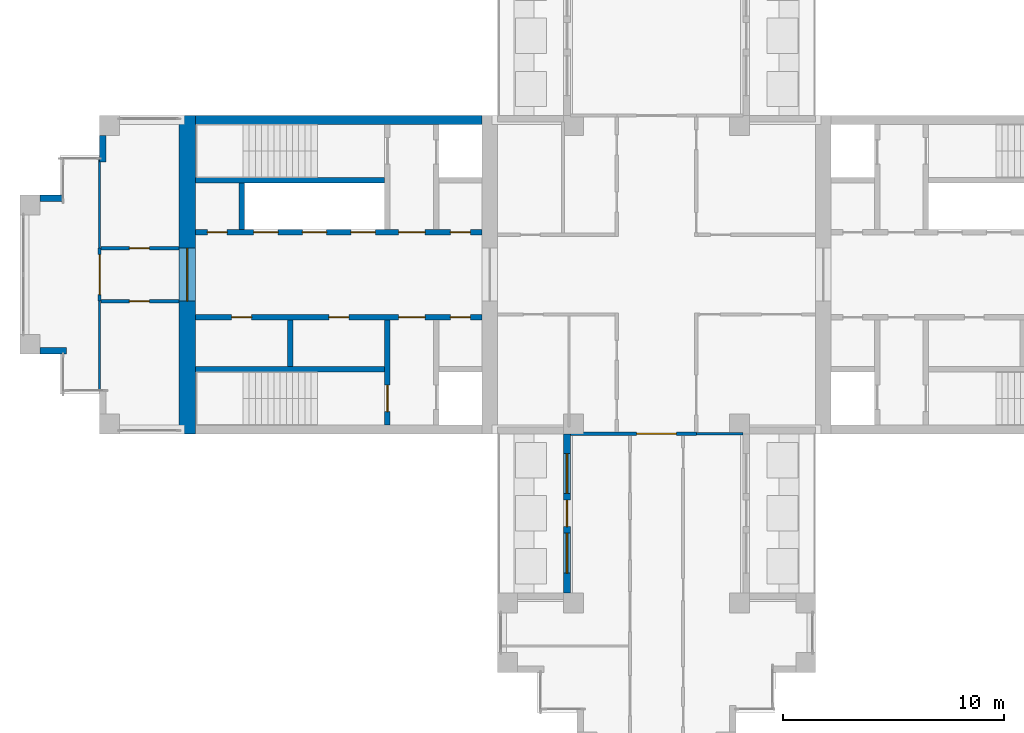
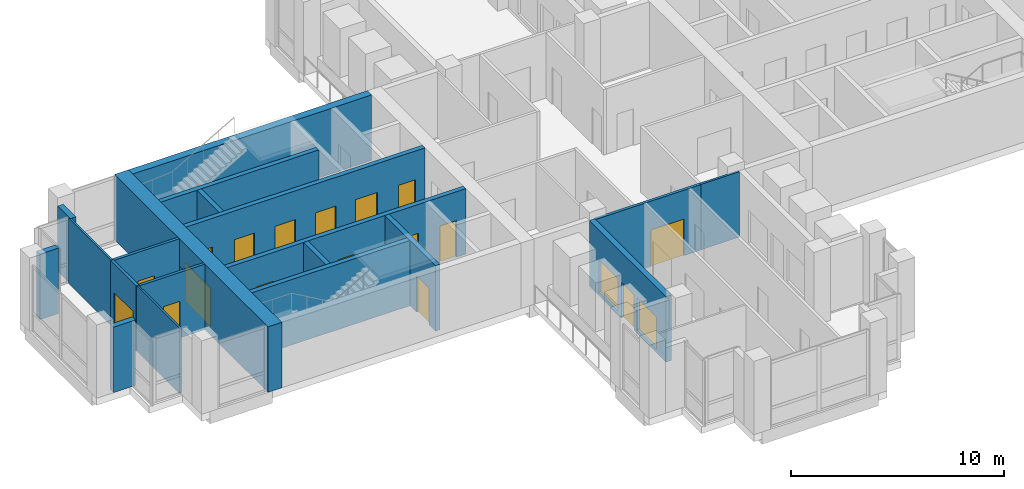
# One storey, part 8 of 13: 20 walls, 17 doors, 2 windows, 19 openings.
"""IFC4 building model written with IfcOpenShell, lengths in metres."""

from ifc_helpers import new_model, si_unit, direction, frame, frame_2d, origin, place, context, subcontext, project, spatial, rectangle, extrude, material, layer, layer_set, type_object, element, fill, save


model = new_model("IFC4")

# Units and contexts
model_context = context("Model", 3, precision=1e-05, world=origin(), true_north=direction((0.0, 1.0)))
body_context = subcontext(model_context, "Body", "Model", "MODEL_VIEW")
ifc_project = project(units=[si_unit("LENGTHUNIT", "METRE"), si_unit("AREAUNIT", "SQUARE_METRE"), si_unit("VOLUMEUNIT", "CUBIC_METRE"), si_unit("PLANEANGLEUNIT", "RADIAN"), si_unit("MASSUNIT", "GRAM", prefix="KILO")], contexts=[model_context])

# Site, building, storey
site_placement = place(None, origin())
site = spatial("IfcSite", under=ifc_project, at=site_placement, CompositionType="ELEMENT")
building_placement = place(site_placement, origin())
building = spatial("IfcBuilding", under=site, at=building_placement, Name="Fustian Cross Tower", CompositionType="ELEMENT")
storey_placement = place(building_placement, frame((0.0, 0.0, 237.89990234375)))
storey = spatial("IfcBuildingStorey", under=building, at=storey_placement, Name="L75", CompositionType="ELEMENT", Elevation=237.89990234375)

# Wall, opening, door
ifc_material_1 = material(Name="Plasterboard on steel stud", Category="steel")
ifc_layer_1 = layer(ifc_material_1, 0.14990234375)
ifc_layer_set_1 = layer_set([ifc_layer_1], Name="Plasterboard on steel stud")
wall_type_1 = type_object("IfcWallType", Name="COMPARTMENT WALL 150 EI 60", PredefinedType="PARTITIONING", material=ifc_layer_set_1)
wall_1_placement = place(storey_placement, frame((-25.199951171875, -1.199951171875, 0.0), z_axis=(0.0, 0.0, 1.0), x_axis=(0.0, 1.0, 0.0)))
wall_1 = element("IfcWall", 1, at=wall_1_placement, inside=storey, type_object=wall_type_1, Name="Partition 2", PredefinedType="PARTITIONING", context=body_context, shape_type="SweptSolid", body=[
    extrude(rectangle(XDim=2.39990234375, YDim=0.14990234375, at=frame_2d((1.199951171875, 0.0))), origin(), (0.0, 0.0, 1.0), 3.75),
])
opening_1_placement = place(wall_1_placement, frame((0.300048828125, 0.0, 0.0)))
opening_1 = element("IfcOpeningElement", 2, at=opening_1_placement, cuts=wall_1, Name="Opening D34026", PredefinedType="OPENING", context=body_context, shape_type="SweptSolid", body=[
    extrude(rectangle(XDim=1.800048828125, YDim=2.10009765625, at=frame_2d((0.89990234375, 1.050048828125))), frame((0.0, 0.0849609375, 0.0), z_axis=(0.0, -1.0, 0.0), x_axis=(1.0, 0.0, 0.0)), (0.0, 0.0, 1.0), 0.169921875),
])
ifc_material_2 = material(Name="Timber fire door set", Category="wood")
door_type_1 = type_object("IfcDoorType", Name="FIRE DOUBLE DOOR 1800 FD30S", OperationType="DOUBLE_DOOR_DOUBLE_SWING", PredefinedType="DOOR", material=ifc_material_2)
door_1_placement = place(opening_1_placement, frame((1.800048828125, 0.0, 0.0), z_axis=(0.0, 0.0, 1.0), x_axis=(-1.0, 0.0, 0.0)))
door_1 = element("IfcDoor", 3, at=door_1_placement, inside=storey, type_object=door_type_1, Name="Door D34026", OperationType="DOUBLE_DOOR_DOUBLE_SWING", OverallHeight=2.10009765625, OverallWidth=1.800048828125, PredefinedType="DOOR", context=body_context, shape_type="SweptSolid", body=[
    extrude(rectangle(XDim=1.800048828125, YDim=2.10009765625, at=frame_2d((0.89990234375, 1.050048828125))), frame((0.0, 0.02490234375, 0.0), z_axis=(0.0, -1.0, 0.0), x_axis=(1.0, 0.0, 0.0)), (0.0, 0.0, 1.0), 0.050048828125),
])
fill(opening_1, door_1)

wall_2_placement = place(storey_placement, frame((-25.125, -1.199951171875, 0.0), z_axis=(0.0, 0.0, 1.0), x_axis=(1.0, 0.0, 0.0)))
wall_2 = element("IfcWall", 4, at=wall_2_placement, inside=storey, type_object=wall_type_1, Name="Partition 3", PredefinedType="PARTITIONING", context=body_context, shape_type="SweptSolid", body=[
    extrude(rectangle(XDim=3.52490234375, YDim=0.14990234375, at=frame_2d((1.762451171875, 0.0))), origin(), (0.0, 0.0, 1.0), 3.75),
])
opening_2_placement = place(wall_2_placement, frame((1.27490234375, 0.0, 0.0)))
opening_2 = element("IfcOpeningElement", 5, at=opening_2_placement, cuts=wall_2, Name="Opening D34027", PredefinedType="OPENING", context=body_context, shape_type="SweptSolid", body=[
    extrude(rectangle(XDim=0.89990234375, YDim=2.10009765625, at=frame_2d((0.449951171875, 1.050048828125))), frame((0.0, 0.0849609375, 0.0), z_axis=(0.0, -1.0, 0.0), x_axis=(1.0, 0.0, 0.0)), (0.0, 0.0, 1.0), 0.169921875),
])
ifc_material_3 = material(Name="Timber fire door set", Category="wood")
door_type_2 = type_object("IfcDoorType", Name="FIRE SWING DOOR 900 FD30S", OperationType="SINGLE_SWING_LEFT", PredefinedType="DOOR", material=ifc_material_3)
door_2_placement = place(opening_2_placement, origin())
door_2 = element("IfcDoor", 6, at=door_2_placement, inside=storey, type_object=door_type_2, Name="Door D34027", OperationType="SINGLE_SWING_LEFT", OverallHeight=2.10009765625, OverallWidth=0.89990234375, PredefinedType="DOOR", context=body_context, shape_type="SweptSolid", body=[
    extrude(rectangle(XDim=0.89990234375, YDim=2.10009765625, at=frame_2d((0.449951171875, 1.050048828125))), frame((0.0, 0.02490234375, 0.0), z_axis=(0.0, -1.0, 0.0), x_axis=(1.0, 0.0, 0.0)), (0.0, 0.0, 1.0), 0.050048828125),
])
fill(opening_2, door_2)

wall_3_placement = place(storey_placement, frame((-25.125, 1.199951171875, 0.0), z_axis=(0.0, 0.0, 1.0), x_axis=(1.0, 0.0, 0.0)))
wall_3 = element("IfcWall", 7, at=wall_3_placement, inside=storey, type_object=wall_type_1, Name="Partition 5", PredefinedType="PARTITIONING", context=body_context, shape_type="SweptSolid", body=[
    extrude(rectangle(XDim=3.52490234375, YDim=0.14990234375, at=frame_2d((1.762451171875, 0.0))), origin(), (0.0, 0.0, 1.0), 3.75),
])
opening_3_placement = place(wall_3_placement, frame((1.27490234375, 0.0, 0.0)))
opening_3 = element("IfcOpeningElement", 8, at=opening_3_placement, cuts=wall_3, Name="Opening D34028", PredefinedType="OPENING", context=body_context, shape_type="SweptSolid", body=[
    extrude(rectangle(XDim=0.89990234375, YDim=2.10009765625, at=frame_2d((0.449951171875, 1.050048828125))), frame((0.0, 0.0849609375, 0.0), z_axis=(0.0, -1.0, 0.0), x_axis=(1.0, 0.0, 0.0)), (0.0, 0.0, 1.0), 0.169921875),
])
door_3_placement = place(opening_3_placement, origin())
door_3 = element("IfcDoor", 9, at=door_3_placement, inside=storey, type_object=door_type_2, Name="Door D34028", OperationType="SINGLE_SWING_LEFT", OverallHeight=2.10009765625, OverallWidth=0.89990234375, PredefinedType="DOOR", context=body_context, shape_type="SweptSolid", body=[
    extrude(rectangle(XDim=0.89990234375, YDim=2.10009765625, at=frame_2d((0.449951171875, 1.050048828125))), frame((0.0, 0.02490234375, 0.0), z_axis=(0.0, -1.0, 0.0), x_axis=(1.0, 0.0, 0.0)), (0.0, 0.0, 1.0), 0.050048828125),
])
fill(opening_3, door_3)

wall_4_placement = place(storey_placement, frame((-3.89990234375, -7.199951171875, 0.0), z_axis=(0.0, 0.0, 1.0), x_axis=(1.0, 0.0, 0.0)))
wall_4 = element("IfcWall", 10, at=wall_4_placement, inside=storey, type_object=wall_type_1, Name="Partition 11", PredefinedType="PARTITIONING", context=body_context, shape_type="SweptSolid", body=[
    extrude(rectangle(XDim=5.699951171875, YDim=0.14990234375, at=frame_2d((2.85009765625, 0.0))), origin(), (0.0, 0.0, 1.0), 3.75),
])
opening_4_placement = place(wall_4_placement, frame((3.0, 0.0, 0.0)))
opening_4 = element("IfcOpeningElement", 11, at=opening_4_placement, cuts=wall_4, Name="Opening D34014", PredefinedType="OPENING", context=body_context, shape_type="SweptSolid", body=[
    extrude(rectangle(XDim=1.800048828125, YDim=2.10009765625, at=frame_2d((0.89990234375, 1.050048828125))), frame((0.0, 0.0849609375, 0.0), z_axis=(0.0, -1.0, 0.0), x_axis=(1.0, 0.0, 0.0)), (0.0, 0.0, 1.0), 0.169921875),
])
door_4_placement = place(opening_4_placement, frame((1.800048828125, 0.0, 0.0), z_axis=(0.0, 0.0, 1.0), x_axis=(-1.0, 0.0, 0.0)))
door_4 = element("IfcDoor", 12, at=door_4_placement, inside=storey, type_object=door_type_1, Name="Door D34014", OperationType="DOUBLE_DOOR_DOUBLE_SWING", OverallHeight=2.10009765625, OverallWidth=1.800048828125, PredefinedType="DOOR", context=body_context, shape_type="SweptSolid", body=[
    extrude(rectangle(XDim=1.800048828125, YDim=2.10009765625, at=frame_2d((0.89990234375, 1.050048828125))), frame((0.0, 0.02490234375, 0.0), z_axis=(0.0, -1.0, 0.0), x_axis=(1.0, 0.0, 0.0)), (0.0, 0.0, 1.0), 0.050048828125),
])
fill(opening_4, door_4)

ifc_material_4 = material(Name="Concrete C50/60", Category="concrete")
ifc_layer_2 = layer(ifc_material_4, 0.75)
ifc_layer_set_2 = layer_set([ifc_layer_2], Name="Concrete C50/60")
wall_type_2 = type_object("IfcWallType", Name="CORE END WALL 750 C50/60", PredefinedType="SHEAR", material=ifc_layer_set_2)
wall_5_placement = place(storey_placement, frame((-21.22509765625, -7.199951171875, 0.0), z_axis=(0.0, 0.0, 1.0), x_axis=(0.0, 1.0, 0.0)))
wall_5 = element("IfcWall", 13, at=wall_5_placement, inside=storey, type_object=wall_type_2, Name="Core end wall", PredefinedType="SHEAR", context=body_context, shape_type="SweptSolid", body=[
    extrude(rectangle(XDim=14.39990234375, YDim=0.75, at=frame_2d((7.199951171875, 0.0))), origin(), (0.0, 0.0, 1.0), 3.75),
])
opening_5_placement = place(wall_5_placement, frame((6.0, 0.0, 0.0)))
opening_5 = element("IfcOpeningElement", 14, at=opening_5_placement, cuts=wall_5, Name="Opening CD-30-29", PredefinedType="OPENING", context=body_context, shape_type="SweptSolid", body=[
    extrude(rectangle(XDim=2.39990234375, YDim=2.199951171875, at=frame_2d((1.199951171875, 1.10009765625))), frame((0.0, 0.385009765625, 0.0), z_axis=(0.0, -1.0, 0.0), x_axis=(1.0, 0.0, 0.0)), (0.0, 0.0, 1.0), 0.77001953125),
])
ifc_material_5 = material(Name="Steel", Category="steel")
door_type_3 = type_object("IfcDoorType", Name="FIRE DOOR FD30S DOUBLE 2400X2200", OperationType="DOUBLE_DOOR_DOUBLE_SWING", PredefinedType="DOOR", material=ifc_material_5)
door_5_placement = place(opening_5_placement, frame((2.39990234375, 0.0, 0.0), z_axis=(0.0, 0.0, 1.0), x_axis=(-1.0, 0.0, 0.0)))
door_5 = element("IfcDoor", 15, at=door_5_placement, inside=storey, type_object=door_type_3, Name="Core door CD-30-29", OperationType="DOUBLE_DOOR_DOUBLE_SWING", OverallHeight=2.199951171875, OverallWidth=2.39990234375, PredefinedType="DOOR", context=body_context, shape_type="SweptSolid", body=[
    extrude(rectangle(XDim=2.39990234375, YDim=2.199951171875, at=frame_2d((1.199951171875, 1.10009765625))), frame((0.0, 0.02490234375, 0.0), z_axis=(0.0, -1.0, 0.0), x_axis=(1.0, 0.0, 0.0)), (0.0, 0.0, 1.0), 0.050048828125),
])
fill(opening_5, door_5)

# Wall
ifc_material_6 = material(Name="Concrete C50/60", Category="concrete")
ifc_layer_3 = layer(ifc_material_6, 0.39990234375)
ifc_layer_set_3 = layer_set([ifc_layer_3], Name="Concrete C50/60")
wall_type_3 = type_object("IfcWallType", Name="CORE FACADE WALL 400 C50/60", PredefinedType="SHEAR", material=ifc_layer_set_3)
wall_6_placement = place(storey_placement, frame((-7.89990234375, 7.0, 0.0), z_axis=(0.0, 0.0, 1.0), x_axis=(-1.0, 0.0, 0.0)))
element("IfcWall", 16, at=wall_6_placement, inside=storey, type_object=wall_type_3, Name="Core facade wall", PredefinedType="SHEAR", context=body_context, shape_type="SweptSolid", body=[
    extrude(rectangle(XDim=12.9501953125, YDim=0.39990234375, at=frame_2d((6.47509765625, 0.0))), origin(), (0.0, 0.0, 1.0), 3.75),
])

# Wall, openings, doors
ifc_material_7 = material(Name="Concrete C50/60", Category="concrete")
ifc_layer_4 = layer(ifc_material_7, 0.25)
ifc_layer_set_4 = layer_set([ifc_layer_4], Name="Concrete C50/60")
wall_type_4 = type_object("IfcWallType", Name="CORE LOBBY WALL 250 C50/60", PredefinedType="SHEAR", material=ifc_layer_set_4)
wall_7_placement = place(storey_placement, frame((-7.89990234375, 1.925048828125, 0.0), z_axis=(0.0, 0.0, 1.0), x_axis=(-1.0, 0.0, 0.0)))
wall_7 = element("IfcWall", 17, at=wall_7_placement, inside=storey, type_object=wall_type_4, Name="Core lobby wall", PredefinedType="SHEAR", context=body_context, shape_type="SweptSolid", body=[
    extrude(rectangle(XDim=12.9501953125, YDim=0.25, at=frame_2d((6.47509765625, 0.0))), origin(), (0.0, 0.0, 1.0), 3.75),
])
opening_6_placement = place(wall_7_placement, frame((4.824951171875, 0.0, 0.0)))
opening_6 = element("IfcOpeningElement", 18, at=opening_6_placement, cuts=wall_7, Name="Opening LD", PredefinedType="OPENING", context=body_context, shape_type="SweptSolid", body=[
    extrude(rectangle(XDim=1.10009765625, YDim=2.10009765625, at=frame_2d((0.550048828125, 1.050048828125))), frame((0.0, 0.135009765625, 0.0), z_axis=(0.0, -1.0, 0.0), x_axis=(1.0, 0.0, 0.0)), (0.0, 0.0, 1.0), 0.27001953125),
])
opening_7_placement = place(wall_7_placement, frame((7.02490234375, 0.0, 0.0)))
opening_7 = element("IfcOpeningElement", 19, at=opening_7_placement, cuts=wall_7, Name="Opening LD", PredefinedType="OPENING", context=body_context, shape_type="SweptSolid", body=[
    extrude(rectangle(XDim=1.10009765625, YDim=2.10009765625, at=frame_2d((0.550048828125, 1.050048828125))), frame((0.0, 0.135009765625, 0.0), z_axis=(0.0, -1.0, 0.0), x_axis=(1.0, 0.0, 0.0)), (0.0, 0.0, 1.0), 0.27001953125),
])
opening_8_placement = place(wall_7_placement, frame((9.22509765625, 0.0, 0.0)))
opening_8 = element("IfcOpeningElement", 20, at=opening_8_placement, cuts=wall_7, Name="Opening LD", PredefinedType="OPENING", context=body_context, shape_type="SweptSolid", body=[
    extrude(rectangle(XDim=1.10009765625, YDim=2.10009765625, at=frame_2d((0.550048828125, 1.050048828125))), frame((0.0, 0.135009765625, 0.0), z_axis=(0.0, -1.0, 0.0), x_axis=(1.0, 0.0, 0.0)), (0.0, 0.0, 1.0), 0.27001953125),
])
opening_9_placement = place(wall_7_placement, frame((0.52490234375, 0.0, 0.0)))
opening_9 = element("IfcOpeningElement", 21, at=opening_9_placement, cuts=wall_7, Name="Opening CD-30-24", PredefinedType="OPENING", context=body_context, shape_type="SweptSolid", body=[
    extrude(rectangle(XDim=0.89990234375, YDim=2.10009765625, at=frame_2d((0.449951171875, 1.050048828125))), frame((0.0, 0.135009765625, 0.0), z_axis=(0.0, -1.0, 0.0), x_axis=(1.0, 0.0, 0.0)), (0.0, 0.0, 1.0), 0.27001953125),
])
opening_10_placement = place(wall_7_placement, frame((2.574951171875, 0.0, 0.0)))
opening_10 = element("IfcOpeningElement", 22, at=opening_10_placement, cuts=wall_7, Name="Opening CD-30-26", PredefinedType="OPENING", context=body_context, shape_type="SweptSolid", body=[
    extrude(rectangle(XDim=1.199951171875, YDim=2.10009765625, at=frame_2d((0.60009765625, 1.050048828125))), frame((0.0, 0.135009765625, 0.0), z_axis=(0.0, -1.0, 0.0), x_axis=(1.0, 0.0, 0.0)), (0.0, 0.0, 1.0), 0.27001953125),
])
opening_11_placement = place(wall_7_placement, frame((11.52490234375, 0.0, 0.0)))
opening_11 = element("IfcOpeningElement", 23, at=opening_11_placement, cuts=wall_7, Name="Opening CD-30-30", PredefinedType="OPENING", context=body_context, shape_type="SweptSolid", body=[
    extrude(rectangle(XDim=0.89990234375, YDim=2.10009765625, at=frame_2d((0.449951171875, 1.050048828125))), frame((0.0, 0.135009765625, 0.0), z_axis=(0.0, -1.0, 0.0), x_axis=(1.0, 0.0, 0.0)), (0.0, 0.0, 1.0), 0.27001953125),
])
ifc_material_8 = material(Name="Steel", Category="steel")
door_type_4 = type_object("IfcDoorType", Name="FIRE DOOR FD30S 900X2100", OperationType="SINGLE_SWING_LEFT", PredefinedType="DOOR", material=ifc_material_8)
door_6_placement = place(opening_11_placement, frame((0.89990234375, 0.0, 0.0), z_axis=(0.0, 0.0, 1.0), x_axis=(-1.0, 0.0, 0.0)))
door_6 = element("IfcDoor", 24, at=door_6_placement, inside=storey, type_object=door_type_4, Name="Core door CD-30-30", OperationType="SINGLE_SWING_RIGHT", OverallHeight=2.10009765625, OverallWidth=0.89990234375, PredefinedType="DOOR", context=body_context, shape_type="SweptSolid", body=[
    extrude(rectangle(XDim=0.89990234375, YDim=2.10009765625, at=frame_2d((0.449951171875, 1.050048828125))), frame((0.0, 0.02490234375, 0.0), z_axis=(0.0, -1.0, 0.0), x_axis=(1.0, 0.0, 0.0)), (0.0, 0.0, 1.0), 0.050048828125),
])
fill(opening_11, door_6)
ifc_material_9 = material(Name="Steel", Category="steel")
door_type_5 = type_object("IfcDoorType", Name="FIRE DOOR FD60S 1200X2100", OperationType="SINGLE_SWING_LEFT", PredefinedType="DOOR", material=ifc_material_9)
door_7_placement = place(opening_10_placement, frame((1.199951171875, 0.0, 0.0), z_axis=(0.0, 0.0, 1.0), x_axis=(-1.0, 0.0, 0.0)))
door_7 = element("IfcDoor", 25, at=door_7_placement, inside=storey, type_object=door_type_5, Name="Core door CD-30-26", OperationType="SINGLE_SWING_RIGHT", OverallHeight=2.10009765625, OverallWidth=1.199951171875, PredefinedType="DOOR", context=body_context, shape_type="SweptSolid", body=[
    extrude(rectangle(XDim=1.199951171875, YDim=2.10009765625, at=frame_2d((0.60009765625, 1.050048828125))), frame((0.0, 0.02490234375, 0.0), z_axis=(0.0, -1.0, 0.0), x_axis=(1.0, 0.0, 0.0)), (0.0, 0.0, 1.0), 0.050048828125),
])
fill(opening_10, door_7)
ifc_material_10 = material(Name="Steel", Category="steel")
door_type_6 = type_object("IfcDoorType", Name="FIRE DOOR FD60S 900X2100", OperationType="SINGLE_SWING_LEFT", PredefinedType="DOOR", material=ifc_material_10)
door_8_placement = place(opening_9_placement, frame((0.89990234375, 0.0, 0.0), z_axis=(0.0, 0.0, 1.0), x_axis=(-1.0, 0.0, 0.0)))
door_8 = element("IfcDoor", 26, at=door_8_placement, inside=storey, type_object=door_type_6, Name="Core door CD-30-24", OperationType="SINGLE_SWING_RIGHT", OverallHeight=2.10009765625, OverallWidth=0.89990234375, PredefinedType="DOOR", context=body_context, shape_type="SweptSolid", body=[
    extrude(rectangle(XDim=0.89990234375, YDim=2.10009765625, at=frame_2d((0.449951171875, 1.050048828125))), frame((0.0, 0.02490234375, 0.0), z_axis=(0.0, -1.0, 0.0), x_axis=(1.0, 0.0, 0.0)), (0.0, 0.0, 1.0), 0.050048828125),
])
fill(opening_9, door_8)
ifc_material_11 = material(Name="Stainless steel", Category="steel")
door_type_7 = type_object("IfcDoorType", Name="LIFT LANDING DOOR 1100X2100", OperationType="SLIDING_TO_LEFT", PredefinedType="DOOR", material=ifc_material_11)
door_9_placement = place(opening_6_placement, origin())
door_9 = element("IfcDoor", 27, at=door_9_placement, inside=storey, type_object=door_type_7, Name="Landing door HR1W", OperationType="SLIDING_TO_LEFT", OverallHeight=2.10009765625, OverallWidth=1.10009765625, PredefinedType="DOOR", context=body_context, shape_type="SweptSolid", body=[
    extrude(rectangle(XDim=1.10009765625, YDim=2.10009765625, at=frame_2d((0.550048828125, 1.050048828125))), frame((0.0, 0.02490234375, 0.0), z_axis=(0.0, -1.0, 0.0), x_axis=(1.0, 0.0, 0.0)), (0.0, 0.0, 1.0), 0.050048828125),
])
fill(opening_6, door_9)
door_10_placement = place(opening_7_placement, origin())
door_10 = element("IfcDoor", 28, at=door_10_placement, inside=storey, type_object=door_type_7, Name="Landing door HR2W", OperationType="SLIDING_TO_LEFT", OverallHeight=2.10009765625, OverallWidth=1.10009765625, PredefinedType="DOOR", context=body_context, shape_type="SweptSolid", body=[
    extrude(rectangle(XDim=1.10009765625, YDim=2.10009765625, at=frame_2d((0.550048828125, 1.050048828125))), frame((0.0, 0.02490234375, 0.0), z_axis=(0.0, -1.0, 0.0), x_axis=(1.0, 0.0, 0.0)), (0.0, 0.0, 1.0), 0.050048828125),
])
fill(opening_7, door_10)
door_11_placement = place(opening_8_placement, origin())
door_11 = element("IfcDoor", 29, at=door_11_placement, inside=storey, type_object=door_type_7, Name="Landing door HR3W", OperationType="SLIDING_TO_LEFT", OverallHeight=2.10009765625, OverallWidth=1.10009765625, PredefinedType="DOOR", context=body_context, shape_type="SweptSolid", body=[
    extrude(rectangle(XDim=1.10009765625, YDim=2.10009765625, at=frame_2d((0.550048828125, 1.050048828125))), frame((0.0, 0.02490234375, 0.0), z_axis=(0.0, -1.0, 0.0), x_axis=(1.0, 0.0, 0.0)), (0.0, 0.0, 1.0), 0.050048828125),
])
fill(opening_8, door_11)

wall_8_placement = place(storey_placement, frame((-7.89990234375, -1.925048828125, 0.0), z_axis=(0.0, 0.0, 1.0), x_axis=(-1.0, 0.0, 0.0)))
wall_8 = element("IfcWall", 30, at=wall_8_placement, inside=storey, type_object=wall_type_4, Name="Core lobby wall", PredefinedType="SHEAR", context=body_context, shape_type="SweptSolid", body=[
    extrude(rectangle(XDim=12.9501953125, YDim=0.25, at=frame_2d((6.47509765625, 0.0))), origin(), (0.0, 0.0, 1.0), 3.75),
])
opening_12_placement = place(wall_8_placement, frame((0.52490234375, 0.0, 0.0)))
opening_12 = element("IfcOpeningElement", 31, at=opening_12_placement, cuts=wall_8, Name="Opening CD-30-25", PredefinedType="OPENING", context=body_context, shape_type="SweptSolid", body=[
    extrude(rectangle(XDim=0.89990234375, YDim=2.10009765625, at=frame_2d((0.449951171875, 1.050048828125))), frame((0.0, 0.135009765625, 0.0), z_axis=(0.0, -1.0, 0.0), x_axis=(1.0, 0.0, 0.0)), (0.0, 0.0, 1.0), 0.27001953125),
])
opening_13_placement = place(wall_8_placement, frame((2.574951171875, 0.0, 0.0)))
opening_13 = element("IfcOpeningElement", 32, at=opening_13_placement, cuts=wall_8, Name="Opening CD-30-27", PredefinedType="OPENING", context=body_context, shape_type="SweptSolid", body=[
    extrude(rectangle(XDim=1.199951171875, YDim=2.10009765625, at=frame_2d((0.60009765625, 1.050048828125))), frame((0.0, 0.135009765625, 0.0), z_axis=(0.0, -1.0, 0.0), x_axis=(1.0, 0.0, 0.0)), (0.0, 0.0, 1.0), 0.27001953125),
])
opening_14_placement = place(wall_8_placement, frame((6.02490234375, 0.0, 0.0)))
opening_14 = element("IfcOpeningElement", 33, at=opening_14_placement, cuts=wall_8, Name="Opening CD-30-31", PredefinedType="OPENING", context=body_context, shape_type="SweptSolid", body=[
    extrude(rectangle(XDim=0.89990234375, YDim=2.10009765625, at=frame_2d((0.449951171875, 1.050048828125))), frame((0.0, 0.135009765625, 0.0), z_axis=(0.0, -1.0, 0.0), x_axis=(1.0, 0.0, 0.0)), (0.0, 0.0, 1.0), 0.27001953125),
])
opening_15_placement = place(wall_8_placement, frame((10.425048828125, 0.0, 0.0)))
opening_15 = element("IfcOpeningElement", 34, at=opening_15_placement, cuts=wall_8, Name="Opening CD-30-32", PredefinedType="OPENING", context=body_context, shape_type="SweptSolid", body=[
    extrude(rectangle(XDim=0.89990234375, YDim=2.10009765625, at=frame_2d((0.449951171875, 1.050048828125))), frame((0.0, 0.135009765625, 0.0), z_axis=(0.0, -1.0, 0.0), x_axis=(1.0, 0.0, 0.0)), (0.0, 0.0, 1.0), 0.27001953125),
])
ifc_material_12 = material(Name="Steel", Category="steel")
door_type_8 = type_object("IfcDoorType", Name="FIRE DOOR FD30S 1200X2100", OperationType="SINGLE_SWING_LEFT", PredefinedType="DOOR", material=ifc_material_12)
door_12_placement = place(opening_13_placement, frame((1.199951171875, 0.0, 0.0), z_axis=(0.0, 0.0, 1.0), x_axis=(-1.0, 0.0, 0.0)))
door_12 = element("IfcDoor", 35, at=door_12_placement, inside=storey, type_object=door_type_8, Name="Core door CD-30-27", OperationType="SINGLE_SWING_RIGHT", OverallHeight=2.10009765625, OverallWidth=1.199951171875, PredefinedType="DOOR", context=body_context, shape_type="SweptSolid", body=[
    extrude(rectangle(XDim=1.199951171875, YDim=2.10009765625, at=frame_2d((0.60009765625, 1.050048828125))), frame((0.0, 0.02490234375, 0.0), z_axis=(0.0, -1.0, 0.0), x_axis=(1.0, 0.0, 0.0)), (0.0, 0.0, 1.0), 0.050048828125),
])
fill(opening_13, door_12)
door_13_placement = place(opening_12_placement, origin())
door_13 = element("IfcDoor", 36, at=door_13_placement, inside=storey, type_object=door_type_4, Name="Core door CD-30-25", OperationType="SINGLE_SWING_LEFT", OverallHeight=2.10009765625, OverallWidth=0.89990234375, PredefinedType="DOOR", context=body_context, shape_type="SweptSolid", body=[
    extrude(rectangle(XDim=0.89990234375, YDim=2.10009765625, at=frame_2d((0.449951171875, 1.050048828125))), frame((0.0, 0.02490234375, 0.0), z_axis=(0.0, -1.0, 0.0), x_axis=(1.0, 0.0, 0.0)), (0.0, 0.0, 1.0), 0.050048828125),
])
fill(opening_12, door_13)
door_14_placement = place(opening_14_placement, origin())
door_14 = element("IfcDoor", 37, at=door_14_placement, inside=storey, type_object=door_type_4, Name="Core door CD-30-31", OperationType="SINGLE_SWING_RIGHT", OverallHeight=2.10009765625, OverallWidth=0.89990234375, PredefinedType="DOOR", context=body_context, shape_type="SweptSolid", body=[
    extrude(rectangle(XDim=0.89990234375, YDim=2.10009765625, at=frame_2d((0.449951171875, 1.050048828125))), frame((0.0, 0.02490234375, 0.0), z_axis=(0.0, -1.0, 0.0), x_axis=(1.0, 0.0, 0.0)), (0.0, 0.0, 1.0), 0.050048828125),
])
fill(opening_14, door_14)
door_15_placement = place(opening_15_placement, origin())
door_15 = element("IfcDoor", 38, at=door_15_placement, inside=storey, type_object=door_type_4, Name="Core door CD-30-32", OperationType="SINGLE_SWING_RIGHT", OverallHeight=2.10009765625, OverallWidth=0.89990234375, PredefinedType="DOOR", context=body_context, shape_type="SweptSolid", body=[
    extrude(rectangle(XDim=0.89990234375, YDim=2.10009765625, at=frame_2d((0.449951171875, 1.050048828125))), frame((0.0, 0.02490234375, 0.0), z_axis=(0.0, -1.0, 0.0), x_axis=(1.0, 0.0, 0.0)), (0.0, 0.0, 1.0), 0.050048828125),
])
fill(opening_15, door_15)

# Walls
ifc_material_13 = material(Name="Concrete C50/60", Category="concrete")
ifc_layer_5 = layer(ifc_material_13, 0.25)
ifc_layer_set_5 = layer_set([ifc_layer_5], Name="Concrete C50/60")
wall_type_5 = type_object("IfcWallType", Name="CORE SHAFT WALL 250 C50/60", PredefinedType="SHEAR", material=ifc_layer_set_5)
for number, where, z_axis, x_axis, name in (
    (39, (-12.300048828125, 4.27490234375, 0.0), (0.0, 0.0, 1.0), (-1.0, 0.0, 0.0), "Core shaft wall"),
    (40, (-12.300048828125, -4.27490234375, 0.0), (0.0, 0.0, 1.0), (-1.0, 0.0, 0.0), "Core shaft wall"),
):
    element("IfcWall", number, at=place(storey_placement, frame(where, z_axis=z_axis, x_axis=x_axis)), inside=storey, type_object=wall_type_5, Name=name, PredefinedType="SHEAR", context=body_context, shape_type="SweptSolid", body=[
        extrude(rectangle(XDim=8.550048828125, YDim=0.25, at=frame_2d((4.27490234375, 0.0))), origin(), (0.0, 0.0, 1.0), 3.75),
    ])

# Wall, opening, door
wall_9_placement = place(storey_placement, frame((-12.175048828125, -2.050048828125, 0.0), z_axis=(0.0, 0.0, 1.0), x_axis=(0.0, -1.0, 0.0)))
wall_9 = element("IfcWall", 41, at=wall_9_placement, inside=storey, type_object=wall_type_5, Name="Core shaft wall", PredefinedType="SHEAR", context=body_context, shape_type="SweptSolid", body=[
    extrude(rectangle(XDim=4.75, YDim=0.25, at=frame_2d((2.375, 0.0))), origin(), (0.0, 0.0, 1.0), 3.75),
])
opening_16_placement = place(wall_9_placement, frame((2.949951171875, 0.0, 0.0)))
opening_16 = element("IfcOpeningElement", 42, at=opening_16_placement, cuts=wall_9, Name="Opening CD-30-23", PredefinedType="OPENING", context=body_context, shape_type="SweptSolid", body=[
    extrude(rectangle(XDim=1.199951171875, YDim=2.10009765625, at=frame_2d((0.60009765625, 1.050048828125))), frame((0.0, 0.135009765625, 0.0), z_axis=(0.0, -1.0, 0.0), x_axis=(1.0, 0.0, 0.0)), (0.0, 0.0, 1.0), 0.27001953125),
])
door_16_placement = place(opening_16_placement, frame((1.199951171875, 0.0, 0.0), z_axis=(0.0, 0.0, 1.0), x_axis=(-1.0, 0.0, 0.0)))
door_16 = element("IfcDoor", 43, at=door_16_placement, inside=storey, type_object=door_type_5, Name="Core door CD-30-23", OperationType="SINGLE_SWING_RIGHT", OverallHeight=2.10009765625, OverallWidth=1.199951171875, PredefinedType="DOOR", context=body_context, shape_type="SweptSolid", body=[
    extrude(rectangle(XDim=1.199951171875, YDim=2.10009765625, at=frame_2d((0.60009765625, 1.050048828125))), frame((0.0, 0.02490234375, 0.0), z_axis=(0.0, -1.0, 0.0), x_axis=(1.0, 0.0, 0.0)), (0.0, 0.0, 1.0), 0.050048828125),
])
fill(opening_16, door_16)

# Walls
ifc_material_14 = material(Name="Plasterboard on steel stud", Category="steel")
ifc_layer_6 = layer(ifc_material_14, 0.10009765625)
ifc_layer_set_6 = layer_set([ifc_layer_6], Name="Plasterboard on steel stud")
wall_type_6 = type_object("IfcWallType", Name="PARTITION 100 STUD", PredefinedType="PARTITIONING", material=ifc_layer_set_6)
for number, where, z_axis, x_axis, name in (
    (44, (-25.199951171875, -5.219970703125, 0.0), (0.0, 0.0, 1.0), (0.0, 1.0, 0.0), "Partition 1"),
    (45, (-25.199951171875, 1.199951171875, 0.0), (0.0, 0.0, 1.0), (0.0, 1.0, 0.0), "Partition 4"),
):
    element("IfcWall", number, at=place(storey_placement, frame(where, z_axis=z_axis, x_axis=x_axis)), inside=storey, type_object=wall_type_6, Name=name, PredefinedType="PARTITIONING", context=body_context, shape_type="SweptSolid", body=[
        extrude(rectangle(XDim=4.02001953125, YDim=0.10009765625, at=frame_2d((2.010009765625, 0.0))), origin(), (0.0, 0.0, 1.0), 3.75),
    ])
ifc_material_15 = material(Name="Concrete C40/50", Category="concrete")
ifc_layer_7 = layer(ifc_material_15, 0.25)
ifc_layer_set_7 = layer_set([ifc_layer_7], Name="Concrete C40/50")
wall_type_7 = type_object("IfcWallType", Name="SHAFT PARTITION WALL 250 C40/50", PredefinedType="PARTITIONING", material=ifc_layer_set_7)
for number, where, z_axis, x_axis, name in (
    (46, (-18.77490234375, 2.050048828125, 0.0), (0.0, 0.0, 1.0), (0.0, 1.0, 0.0), "Core shaft wall"),
    (47, (-16.574951171875, -2.050048828125, 0.0), (0.0, 0.0, 1.0), (0.0, -1.0, 0.0), "Core shaft wall"),
):
    element("IfcWall", number, at=place(storey_placement, frame(where, z_axis=z_axis, x_axis=x_axis)), inside=storey, type_object=wall_type_7, Name=name, PredefinedType="PARTITIONING", context=body_context, shape_type="SweptSolid", body=[
        extrude(rectangle(XDim=2.099853515625, YDim=0.25, at=frame_2d((1.0498046875, 0.0))), origin(), (0.0, 0.0, 1.0), 3.75),
    ])
ifc_material_16 = material(Name="Plasterboard on steel stud", Category="steel")
ifc_layer_8 = layer(ifc_material_16, 0.125)
ifc_layer_set_8 = layer_set([ifc_layer_8], Name="Plasterboard on steel stud")
wall_type_8 = type_object("IfcWallType", Name="WET WALL 125 STUD", PredefinedType="PARTITIONING", material=ifc_layer_set_8)
wall_10_placement = place(storey_placement, frame((1.800048828125, -7.199951171875, 0.0), z_axis=(0.0, 0.0, 1.0), x_axis=(1.0, 0.0, 0.0)))
element("IfcWall", 48, at=wall_10_placement, inside=storey, type_object=wall_type_8, Name="Partition 19", PredefinedType="PARTITIONING", context=body_context, shape_type="SweptSolid", body=[
    extrude(rectangle(XDim=2.099853515625, YDim=0.125, at=frame_2d((1.0498046875, 0.0))), origin(), (0.0, 0.0, 1.0), 3.75),
])
ifc_material_17 = material(Name="Dark aluminium cladding on insulated backing wall", Category="aluminium")
ifc_layer_9 = layer(ifc_material_17, 0.300048828125)
ifc_layer_set_9 = layer_set([ifc_layer_9], Name="Dark aluminium cladding on insulated backing wall")
wall_type_9 = type_object("IfcWallType", Name="XW1 EXTERNAL WALL 300", PredefinedType="SOLIDWALL", material=ifc_layer_set_9)
wall_11_placement = place(storey_placement, frame((-25.050048828125, 6.300048828125, 0.0), z_axis=(0.0, 0.0, 1.0), x_axis=(0.0, -1.0, 0.0)))
element("IfcWall", 49, at=wall_11_placement, inside=storey, type_object=wall_type_9, Name="External wall", PredefinedType="SOLIDWALL", context=body_context, shape_type="SweptSolid", body=[
    extrude(rectangle(XDim=1.199951171875, YDim=0.300048828125, at=frame_2d((0.60009765625, 0.0))), origin(), (0.0, 0.0, 1.0), 3.75),
])
wall_12_placement = place(storey_placement, frame((-26.8798828125, 3.449951171875, 0.0), z_axis=(0.0, 0.0, 1.0), x_axis=(-1.0, 0.0, 0.0)))
element("IfcWall", 50, at=wall_12_placement, inside=storey, type_object=wall_type_9, Name="External wall", PredefinedType="SOLIDWALL", context=body_context, shape_type="SweptSolid", body=[
    extrude(rectangle(XDim=1.02001953125, YDim=0.300048828125, at=frame_2d((0.510009765625, 0.0))), origin(), (0.0, 0.0, 1.0), 3.75),
])
wall_13_placement = place(storey_placement, frame((-27.89990234375, -3.449951171875, 0.0), z_axis=(0.0, 0.0, 1.0), x_axis=(1.0, 0.0, 0.0)))
element("IfcWall", 51, at=wall_13_placement, inside=storey, type_object=wall_type_9, Name="External wall", PredefinedType="SOLIDWALL", context=body_context, shape_type="SweptSolid", body=[
    extrude(rectangle(XDim=1.199951171875, YDim=0.300048828125, at=frame_2d((0.60009765625, 0.0))), origin(), (0.0, 0.0, 1.0), 3.75),
])

# Wall, openings, door, windows
wall_14_placement = place(storey_placement, frame((-4.050048828125, -7.199951171875, 0.0), z_axis=(0.0, 0.0, 1.0), x_axis=(0.0, -1.0, 0.0)))
wall_14 = element("IfcWall", 52, at=wall_14_placement, inside=storey, type_object=wall_type_9, Name="External wall", PredefinedType="SOLIDWALL", context=body_context, shape_type="SweptSolid", body=[
    extrude(rectangle(XDim=7.199951171875, YDim=0.300048828125, at=frame_2d((3.60009765625, 0.0))), origin(), (0.0, 0.0, 1.0), 3.75),
])
opening_17_placement = place(wall_14_placement, frame((3.0, 0.0, 0.0)))
opening_17 = element("IfcOpeningElement", 53, at=opening_17_placement, cuts=wall_14, Name="Opening XD4", PredefinedType="OPENING", context=body_context, shape_type="SweptSolid", body=[
    extrude(rectangle(XDim=1.199951171875, YDim=2.050048828125, at=frame_2d((0.60009765625, 1.02490234375))), frame((0.0, 0.159912109375, 0.0), z_axis=(0.0, -1.0, 0.0), x_axis=(1.0, 0.0, 0.0)), (0.0, 0.0, 1.0), 0.320068359375),
])
opening_18_placement = place(wall_14_placement, frame((0.89990234375, 0.0, 0.199951171875)))
opening_18 = element("IfcOpeningElement", 54, at=opening_18_placement, cuts=wall_14, Name="Opening WN2", PredefinedType="OPENING", context=body_context, shape_type="SweptSolid", body=[
    extrude(rectangle(XDim=1.800048828125, YDim=1.85009765625, at=frame_2d((0.89990234375, 0.925048828125))), frame((0.0, 0.159912109375, 0.0), z_axis=(0.0, -1.0, 0.0), x_axis=(1.0, 0.0, 0.0)), (0.0, 0.0, 1.0), 0.320068359375),
])
opening_19_placement = place(wall_14_placement, frame((4.5, 0.0, 0.199951171875)))
opening_19 = element("IfcOpeningElement", 55, at=opening_19_placement, cuts=wall_14, Name="Opening WN2", PredefinedType="OPENING", context=body_context, shape_type="SweptSolid", body=[
    extrude(rectangle(XDim=1.800048828125, YDim=1.85009765625, at=frame_2d((0.89990234375, 0.925048828125))), frame((0.0, 0.159912109375, 0.0), z_axis=(0.0, -1.0, 0.0), x_axis=(1.0, 0.0, 0.0)), (0.0, 0.0, 1.0), 0.320068359375),
])
ifc_material_18 = material(Name="Dark anodised aluminium and double glazing", Category="aluminium")
door_type_9 = type_object("IfcDoorType", Name="ED1 BALCONY DOOR 1200X2050", OperationType="SINGLE_SWING_LEFT", PredefinedType="DOOR", material=ifc_material_18)
door_17_placement = place(opening_17_placement, origin())
door_17 = element("IfcDoor", 56, at=door_17_placement, inside=storey, type_object=door_type_9, Name="Balcony door", OperationType="SINGLE_SWING_LEFT", OverallHeight=2.050048828125, OverallWidth=1.199951171875, PredefinedType="DOOR", context=body_context, shape_type="SweptSolid", body=[
    extrude(rectangle(XDim=1.199951171875, YDim=2.050048828125, at=frame_2d((0.60009765625, 1.02490234375))), frame((0.0, 0.02490234375, 0.0), z_axis=(0.0, -1.0, 0.0), x_axis=(1.0, 0.0, 0.0)), (0.0, 0.0, 1.0), 0.050048828125),
])
fill(opening_17, door_17)
ifc_material_19 = material(Name="Dark anodised aluminium and double glazing", Category="aluminium")
window_type = type_object("IfcWindowType", Name="WN2 WINDOW 1800X1850", PartitioningType="SINGLE_PANEL", PredefinedType="WINDOW", material=ifc_material_19)
window_1_placement = place(opening_18_placement, origin())
window_1 = element("IfcWindow", 57, at=window_1_placement, inside=storey, type_object=window_type, Name="Window", OverallHeight=1.85009765625, OverallWidth=1.800048828125, PartitioningType="SINGLE_PANEL", PredefinedType="WINDOW", context=body_context, shape_type="SweptSolid", body=[
    extrude(rectangle(XDim=1.800048828125, YDim=1.85009765625, at=frame_2d((0.89990234375, 0.925048828125))), frame((0.0, 0.030029296875, 0.0), z_axis=(0.0, -1.0, 0.0), x_axis=(1.0, 0.0, 0.0)), (0.0, 0.0, 1.0), 0.06005859375),
])
fill(opening_18, window_1)
window_2_placement = place(opening_19_placement, origin())
window_2 = element("IfcWindow", 58, at=window_2_placement, inside=storey, type_object=window_type, Name="Window", OverallHeight=1.85009765625, OverallWidth=1.800048828125, PartitioningType="SINGLE_PANEL", PredefinedType="WINDOW", context=body_context, shape_type="SweptSolid", body=[
    extrude(rectangle(XDim=1.800048828125, YDim=1.85009765625, at=frame_2d((0.89990234375, 0.925048828125))), frame((0.0, 0.030029296875, 0.0), z_axis=(0.0, -1.0, 0.0), x_axis=(1.0, 0.0, 0.0)), (0.0, 0.0, 1.0), 0.06005859375),
])
fill(opening_19, window_2)

save(model, "model.ifc")
